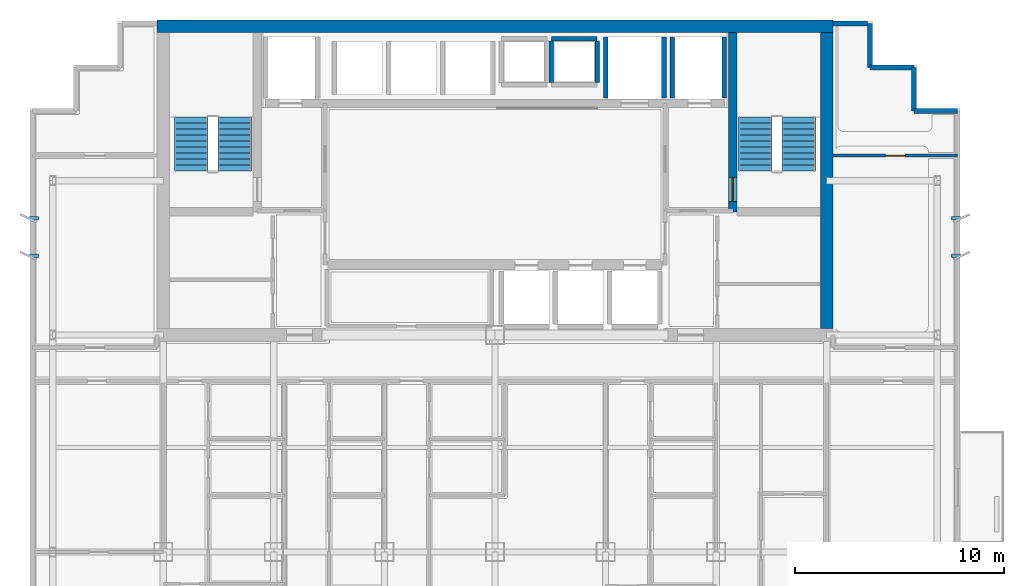
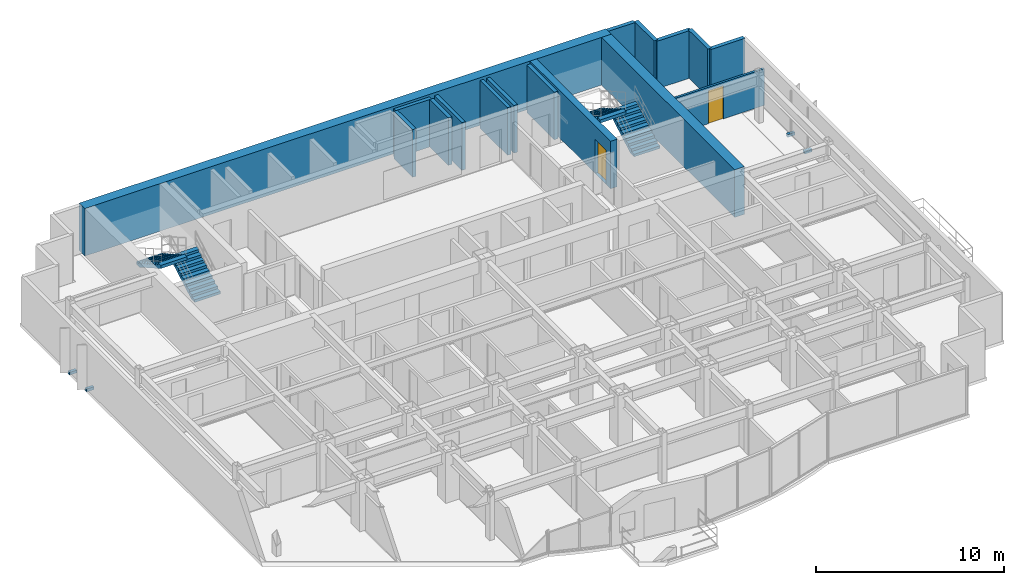
# One storey, part 9 of 11: 16 walls, 4 discrete accessories, 4 stair flights, 2 doors, 2 openings, 2 elements without a shape of their own.
"""IFC4 building model written with IfcOpenShell, lengths in metres."""

from ifc_helpers import new_model, si_unit, direction, frame, frame_2d, origin, origin_2d, place, context, subcontext, project, spatial, polyline, rectangle, outline, extrude, source, transform, mapped, material, layer, layer_set, type_object, element, fill, aggregate, save


model = new_model("IFC4")

# Units and contexts
model_context = context("Model", 3, precision=1e-05, world=origin(), true_north=direction((0.0, 1.0)))
body_context = subcontext(model_context, "Body", "Model", "MODEL_VIEW")
ifc_project = project(units=[si_unit("LENGTHUNIT", "METRE"), si_unit("AREAUNIT", "SQUARE_METRE"), si_unit("VOLUMEUNIT", "CUBIC_METRE"), si_unit("PLANEANGLEUNIT", "RADIAN"), si_unit("MASSUNIT", "GRAM", prefix="KILO")], contexts=[model_context])

# Site, building, storey
site_placement = place(None, origin())
site = spatial("IfcSite", under=ifc_project, at=site_placement, CompositionType="ELEMENT")
building_placement = place(site_placement, origin())
building = spatial("IfcBuilding", under=site, at=building_placement, Name="Qianlan Lanfeng Residences", CompositionType="ELEMENT")
storey_placement = place(building_placement, frame((0.0, 0.0, 145.800048828125)))
storey = spatial("IfcBuildingStorey", under=building, at=storey_placement, Name="L39", CompositionType="ELEMENT", Elevation=145.800048828125)

# Wall, opening, door
ifc_material_1 = material(Name="Concrete C56", Category="concrete")
ifc_layer_1 = layer(ifc_material_1, 0.39990234375)
ifc_layer_set_1 = layer_set([ifc_layer_1], Name="Concrete C56")
wall_type_1 = type_object("IfcWallType", Name="CW-RC-400", PredefinedType="SHEAR", material=ifc_layer_set_1)
wall_1_placement = place(storey_placement, frame((37.89990234375, 31.10009765625, 0.0), z_axis=(0.0, 0.0, 1.0), x_axis=(0.0, 1.0, 0.0)))
wall_1 = element("IfcWall", 1, at=wall_1_placement, inside=storey, type_object=wall_type_1, Name="L39 Core Shear Wall ST2W", PredefinedType="SHEAR", context=body_context, shape_type="SweptSolid", body=[
    extrude(rectangle(XDim=8.599853515625, YDim=0.39990234375, at=frame_2d((4.2998046875, 0.0))), origin(), (0.0, 0.0, 1.0), 3.099853515625),
])
opening_1_placement = place(wall_1_placement, frame((0.510009765625, 0.0, 0.0)))
opening_1 = element("IfcOpeningElement", 2, at=opening_1_placement, cuts=wall_1, Name="Opening L39-D08", PredefinedType="OPENING", context=body_context, shape_type="SweptSolid", body=[
    extrude(rectangle(XDim=1.14990234375, YDim=2.199951171875, at=frame_2d((0.574951171875, 1.10009765625))), frame((0.0, 0.2099609375, 0.0), z_axis=(0.0, -1.0, 0.0), x_axis=(1.0, 0.0, 0.0)), (0.0, 0.0, 1.0), 0.419921875),
])
ifc_material_2 = material(Name="Painted Galvanised Steel Fire Door", Category="steel")
door_type_1 = type_object("IfcDoorType", Name="DT-ST1", OperationType="NOTDEFINED", PredefinedType="DOOR", material=ifc_material_2)
door_1_placement = place(opening_1_placement, origin())
door_1 = element("IfcDoor", 3, at=door_1_placement, inside=storey, type_object=door_type_1, Name="L39 Exit Stair ST-2 Door L39-D08 (DT-ST1)", OperationType="SINGLE_SWING_RIGHT", OverallHeight=2.199951171875, OverallWidth=1.14990234375, PredefinedType="DOOR", context=body_context, shape_type="SweptSolid", body=[
    extrude(rectangle(XDim=1.14990234375, YDim=2.199951171875, at=frame_2d((0.574951171875, 1.10009765625))), frame((0.0, 0.02490234375, 0.0), z_axis=(0.0, -1.0, 0.0), x_axis=(1.0, 0.0, 0.0)), (0.0, 0.0, 1.0), 0.050048828125),
])
fill(opening_1, door_1)

# Walls
ifc_layer_2 = layer(ifc_material_1, 0.60009765625)
ifc_layer_set_2 = layer_set([ifc_layer_2], Name="Concrete C56")
wall_type_2 = type_object("IfcWallType", Name="CW-RC-600", PredefinedType="SHEAR", material=ifc_layer_set_2)
wall_2_placement = place(storey_placement, frame((10.300048828125, 40.0, 0.0), z_axis=(0.0, 0.0, 1.0), x_axis=(1.0, 0.0, 0.0)))
element("IfcWall", 4, at=wall_2_placement, inside=storey, type_object=wall_type_2, Name="L39 Core Shear Wall N", PredefinedType="SHEAR", context=body_context, shape_type="SweptSolid", body=[
    extrude(rectangle(XDim=32.39990234375, YDim=0.60009765625, at=frame_2d((16.199951171875, 0.0))), origin(), (0.0, 0.0, 1.0), 3.099853515625),
])
wall_3_placement = place(storey_placement, frame((42.39990234375, 25.5, 0.0), z_axis=(0.0, 0.0, 1.0), x_axis=(0.0, 1.0, 0.0)))
element("IfcWall", 5, at=wall_3_placement, inside=storey, type_object=wall_type_2, Name="L39 Core Shear Wall E", PredefinedType="SHEAR", context=body_context, shape_type="SweptSolid", body=[
    extrude(rectangle(XDim=14.199951171875, YDim=0.60009765625, at=frame_2d((7.10009765625, 0.0))), origin(), (0.0, 0.0, 1.0), 3.099853515625),
])
ifc_material_3 = material(Name="Concrete C42", Category="concrete")
ifc_layer_3 = layer(ifc_material_3, 0.239990234375)
ifc_layer_set_3 = layer_set([ifc_layer_3], Name="Concrete C42")
wall_type_3 = type_object("IfcWallType", Name="EW-240", PredefinedType="SOLIDWALL", material=ifc_layer_set_3)
wall_4_placement = place(storey_placement, frame((48.679931640625, 35.929931640625, 0.0), z_axis=(0.0, 0.0, 1.0), x_axis=(-1.0, 0.0, 0.0)))
element("IfcWall", 6, at=wall_4_placement, inside=storey, type_object=wall_type_3, Name="L39 Exterior Facade Spandrel Wall 11", PredefinedType="SOLIDWALL", context=body_context, shape_type="SweptSolid", body=[
    extrude(rectangle(XDim=2.099853515625, YDim=0.239990234375, at=frame_2d((1.0498046875, 0.0))), origin(), (0.0, 0.0, 1.0), 3.099853515625),
])
for number, where, z_axis, x_axis, name in (
    (7, (46.580078125, 35.929931640625, 0.0), (0.0, 0.0, 1.0), (0.0, 1.0, 0.0), "L39 Exterior Facade Spandrel Wall 12"),
    (8, (46.580078125, 38.030029296875, 0.0), (0.0, 0.0, 1.0), (-1.0, 0.0, 0.0), "L39 Exterior Facade Spandrel Wall 13"),
):
    element("IfcWall", number, at=place(storey_placement, frame(where, z_axis=z_axis, x_axis=x_axis)), inside=storey, type_object=wall_type_3, Name=name, PredefinedType="SOLIDWALL", context=body_context, shape_type="SweptSolid", body=[
        extrude(rectangle(XDim=2.10009765625, YDim=0.239990234375, at=frame_2d((1.050048828125, 0.0))), origin(), (0.0, 0.0, 1.0), 3.099853515625),
    ])
wall_5_placement = place(storey_placement, frame((44.47998046875, 38.030029296875, 0.0), z_axis=(0.0, 0.0, 1.0), x_axis=(0.0, 1.0, 0.0)))
element("IfcWall", 9, at=wall_5_placement, inside=storey, type_object=wall_type_3, Name="L39 Exterior Facade Spandrel Wall 14", PredefinedType="SOLIDWALL", context=body_context, shape_type="SweptSolid", body=[
    extrude(rectangle(XDim=2.099853515625, YDim=0.239990234375, at=frame_2d((1.0498046875, 0.0))), origin(), (0.0, 0.0, 1.0), 3.099853515625),
])
wall_6_placement = place(storey_placement, frame((44.35009765625, 40.1298828125, 0.0), z_axis=(0.0, 0.0, 1.0), x_axis=(-1.0, 0.0, 0.0)))
element("IfcWall", 10, at=wall_6_placement, inside=storey, type_object=wall_type_3, Name="L39 North Wing Exterior Wall E", PredefinedType="SOLIDWALL", context=body_context, shape_type="SweptSolid", body=[
    extrude(rectangle(XDim=1.650146484375, YDim=0.239990234375, at=frame_2d((0.8251953125, 0.0))), origin(), (0.0, 0.0, 1.0), 3.099853515625),
])

# Wall, opening, door
ifc_material_4 = material(Name="Moisture-Resistant Gypsum Partition 135 mm")
ifc_layer_4 = layer(ifc_material_4, 0.135009765625)
ifc_layer_set_4 = layer_set([ifc_layer_4], Name="Moisture-Resistant Gypsum Partition 135 mm")
wall_type_4 = type_object("IfcWallType", Name="PW-135", PredefinedType="PARTITIONING", material=ifc_layer_set_4)
wall_7_placement = place(storey_placement, frame((42.699951171875, 33.800048828125, 0.0), z_axis=(0.0, 0.0, 1.0), x_axis=(1.0, 0.0, 0.0)))
wall_7 = element("IfcWall", 11, at=wall_7_placement, inside=storey, type_object=wall_type_4, Name="L39 EW North Wing Wall", PredefinedType="PARTITIONING", context=body_context, shape_type="SweptSolid", body=[
    extrude(rectangle(XDim=5.97998046875, YDim=0.135009765625, at=frame_2d((2.989990234375, 0.0))), origin(), (0.0, 0.0, 1.0), 2.3798828125),
])
opening_2_placement = place(wall_7_placement, frame((2.530029296875, 0.0, 0.0)))
opening_2 = element("IfcOpeningElement", 12, at=opening_2_placement, cuts=wall_7, Name="Opening L39-D47", PredefinedType="OPENING", context=body_context, shape_type="SweptSolid", body=[
    extrude(rectangle(XDim=0.919921875, YDim=2.14990234375, at=frame_2d((0.4599609375, 1.074951171875))), frame((0.0, 0.07763671875, 0.0), z_axis=(0.0, -1.0, 0.0), x_axis=(1.0, 0.0, 0.0)), (0.0, 0.0, 1.0), 0.155029296875),
])
ifc_material_5 = material(Name="Glazed Timber Kitchen/Study Door", Category="wood")
door_type_2 = type_object("IfcDoorType", Name="DT-INT", OperationType="NOTDEFINED", PredefinedType="DOOR", material=ifc_material_5)
door_2_placement = place(opening_2_placement, origin())
door_2 = element("IfcDoor", 13, at=door_2_placement, inside=storey, type_object=door_type_2, Name="L39 EW Inner Salon Door L39-D47 (DT-INT)", OperationType="SINGLE_SWING_LEFT", OverallHeight=2.14990234375, OverallWidth=0.919921875, PredefinedType="DOOR", context=body_context, shape_type="SweptSolid", body=[
    extrude(rectangle(XDim=0.919921875, YDim=2.14990234375, at=frame_2d((0.4599609375, 1.074951171875))), frame((0.0, 0.02490234375, 0.0), z_axis=(0.0, -1.0, 0.0), x_axis=(1.0, 0.0, 0.0)), (0.0, 0.0, 1.0), 0.050048828125),
])
fill(opening_2, door_2)

# Walls
ifc_material_6 = material(Name="Concrete C49", Category="concrete")
ifc_layer_5 = layer(ifc_material_6, 0.219970703125)
ifc_layer_set_5 = layer_set([ifc_layer_5], Name="Concrete C49")
wall_type_5 = type_object("IfcWallType", Name="SHW-220", PredefinedType="SOLIDWALL", material=ifc_layer_set_5)
for number, where, z_axis, x_axis, name in (
    (14, (35.0, 36.550048828125, 0.0), (0.0, 0.0, 1.0), (0.0, 1.0, 0.0), "L39 Lift FFL-2 Shaft Wall W"),
    (15, (37.47998046875, 36.550048828125, 0.0), (0.0, 0.0, 1.0), (0.0, 1.0, 0.0), "L39 Lift FFL-2 Shaft Wall E"),
    (16, (31.800048828125, 36.550048828125, 0.0), (0.0, 0.0, 1.0), (0.0, 1.0, 0.0), "L39 Lift SVL-1 Shaft Wall W"),
    (17, (34.60009765625, 36.550048828125, 0.0), (0.0, 0.0, 1.0), (0.0, 1.0, 0.0), "L39 Lift SVL-1 Shaft Wall E"),
):
    element("IfcWall", number, at=place(storey_placement, frame(where, z_axis=z_axis, x_axis=x_axis)), inside=storey, type_object=wall_type_5, Name=name, PredefinedType="SOLIDWALL", context=body_context, shape_type="SweptSolid", body=[
        extrude(rectangle(XDim=2.929931640625, YDim=0.219970703125, at=frame_2d((1.46484375, 0.0))), origin(), (0.0, 0.0, 1.0), 3.099853515625),
    ])
for number, where, z_axis, x_axis, name in (
    (18, (29.199951171875, 37.31005859375, 0.0), (0.0, 0.0, 1.0), (0.0, 1.0, 0.0), "L39 MEP Riser MEP-R2 Shaft Wall W"),
    (19, (31.39990234375, 37.31005859375, 0.0), (0.0, 0.0, 1.0), (0.0, 1.0, 0.0), "L39 MEP Riser MEP-R2 Shaft Wall E"),
):
    element("IfcWall", number, at=place(storey_placement, frame(where, z_axis=z_axis, x_axis=x_axis)), inside=storey, type_object=wall_type_5, Name=name, PredefinedType="SOLIDWALL", context=body_context, shape_type="SweptSolid", body=[
        extrude(rectangle(XDim=1.97998046875, YDim=0.219970703125, at=frame_2d((0.989990234375, 0.0))), origin(), (0.0, 0.0, 1.0), 3.099853515625),
    ])
wall_8_placement = place(storey_placement, frame((29.199951171875, 39.39990234375, 0.0), z_axis=(0.0, 0.0, 1.0), x_axis=(1.0, 0.0, 0.0)))
element("IfcWall", 20, at=wall_8_placement, inside=storey, type_object=wall_type_5, Name="L39 MEP Riser MEP-R2 Shaft Wall N", PredefinedType="SOLIDWALL", context=body_context, shape_type="SweptSolid", body=[
    extrude(rectangle(XDim=2.199951171875, YDim=0.219970703125, at=frame_2d((1.10009765625, 0.0))), origin(), (0.0, 0.0, 1.0), 3.099853515625),
])

# Stair, stair flights
stair_type = type_object("IfcStairType", Name="STR-MAIN", PredefinedType="HALF_TURN_STAIR", material=ifc_material_3)
stair_1_placement = place(storey_placement, origin())
stair_1 = element("IfcStair", 21, at=stair_1_placement, inside=storey, type_object=stair_type, Name="L39 Exit Stair ST-1", PredefinedType="HALF_TURN_STAIR")
stair_flight_type = type_object("IfcStairFlightType", Name="FLT-1720", PredefinedType="STRAIGHT", material=ifc_material_3)
stair_flight_1_placement = place(storey_placement, frame((14.02001953125, 33.050048828125, 0.0), z_axis=(0.0, 0.0, 1.0), x_axis=(0.0, 1.0, 0.0)))
stair_flight_1 = element("IfcStairFlight", 22, at=stair_flight_1_placement, type_object=stair_flight_type, Name="ST-1 flight 1", NumberOfRisers=10, NumberOfTreads=9, PredefinedType="STRAIGHT", RiserHeight=0.165, TreadLength=0.29, context=body_context, shape_type="SweptSolid", body=[
    extrude(outline(polyline([(0.0, 0.0), (0.0, 0.1650390625), (0.2900390625, 0.1650390625), (0.2900390625, 0.330078125), (0.580078125, 0.330078125), (0.580078125, 0.4951171875), (0.8701171875, 0.4951171875), (0.8701171875, 0.659912109375), (1.159912109375, 0.659912109375), (1.159912109375, 0.824951171875), (1.449951171875, 0.824951171875), (1.449951171875, 0.989990234375), (1.739990234375, 0.989990234375), (1.739990234375, 1.155029296875), (2.030029296875, 1.155029296875), (2.030029296875, 1.320068359375), (2.320068359375, 1.320068359375), (2.320068359375, 1.485107421875), (2.610107421875, 1.485107421875), (2.610107421875, 1.64990234375), (2.610107421875, 1.278076171875), (0.36376953125, 0.0), (0.0, 0.0)])), frame((0.0, 0.800048828125, 0.0), z_axis=(0.0, -1.0, 0.0), x_axis=(1.0, 0.0, 0.0)), (0.0, 0.0, 1.0), 1.60009765625),
])
stair_flight_2_placement = place(storey_placement, frame((11.93994140625, 35.659912109375, 1.64990234375), z_axis=(0.0, 0.0, 1.0), x_axis=(0.0, -1.0, 0.0)))
stair_flight_2 = element("IfcStairFlight", 23, at=stair_flight_2_placement, type_object=stair_flight_type, Name="ST-1 flight 2", NumberOfRisers=10, NumberOfTreads=9, PredefinedType="STRAIGHT", RiserHeight=0.165, TreadLength=0.29, context=body_context, shape_type="SweptSolid", body=[
    extrude(outline(polyline([(0.0, 0.0), (0.0, 0.1650390625), (0.2900390625, 0.1650390625), (0.2900390625, 0.330078125), (0.580078125, 0.330078125), (0.580078125, 0.4951171875), (0.8701171875, 0.4951171875), (0.8701171875, 0.659912109375), (1.159912109375, 0.659912109375), (1.159912109375, 0.824951171875), (1.449951171875, 0.824951171875), (1.449951171875, 0.989990234375), (1.739990234375, 0.989990234375), (1.739990234375, 1.155029296875), (2.030029296875, 1.155029296875), (2.030029296875, 1.320068359375), (2.320068359375, 1.320068359375), (2.320068359375, 1.485107421875), (2.610107421875, 1.485107421875), (2.610107421875, 1.64990234375), (2.610107421875, 1.278076171875), (0.36376953125, 0.0), (0.0, 0.0)])), frame((0.0, 0.800048828125, 0.0), z_axis=(0.0, -1.0, 0.0), x_axis=(1.0, 0.0, 0.0)), (0.0, 0.0, 1.0), 1.60009765625),
])
aggregate(stair_1, [stair_flight_1, stair_flight_2])

stair_2_placement = place(storey_placement, origin())
stair_2 = element("IfcStair", 24, at=stair_2_placement, inside=storey, type_object=stair_type, Name="L39 Exit Stair ST-2", PredefinedType="HALF_TURN_STAIR")
stair_flight_3_placement = place(storey_placement, frame((41.06005859375, 33.050048828125, 0.0), z_axis=(0.0, 0.0, 1.0), x_axis=(0.0, 1.0, 0.0)))
stair_flight_3 = element("IfcStairFlight", 25, at=stair_flight_3_placement, type_object=stair_flight_type, Name="ST-2 flight 1", NumberOfRisers=10, NumberOfTreads=9, PredefinedType="STRAIGHT", RiserHeight=0.165, TreadLength=0.29, context=body_context, shape_type="SweptSolid", body=[
    extrude(outline(polyline([(0.0, 0.0), (0.0, 0.1650390625), (0.2900390625, 0.1650390625), (0.2900390625, 0.330078125), (0.580078125, 0.330078125), (0.580078125, 0.4951171875), (0.8701171875, 0.4951171875), (0.8701171875, 0.659912109375), (1.159912109375, 0.659912109375), (1.159912109375, 0.824951171875), (1.449951171875, 0.824951171875), (1.449951171875, 0.989990234375), (1.739990234375, 0.989990234375), (1.739990234375, 1.155029296875), (2.030029296875, 1.155029296875), (2.030029296875, 1.320068359375), (2.320068359375, 1.320068359375), (2.320068359375, 1.485107421875), (2.610107421875, 1.485107421875), (2.610107421875, 1.64990234375), (2.610107421875, 1.278076171875), (0.36376953125, 0.0), (0.0, 0.0)])), frame((0.0, 0.800048828125, 0.0), z_axis=(0.0, -1.0, 0.0), x_axis=(1.0, 0.0, 0.0)), (0.0, 0.0, 1.0), 1.60009765625),
])
stair_flight_4_placement = place(storey_placement, frame((38.97998046875, 35.659912109375, 1.64990234375), z_axis=(0.0, 0.0, 1.0), x_axis=(0.0, -1.0, 0.0)))
stair_flight_4 = element("IfcStairFlight", 26, at=stair_flight_4_placement, type_object=stair_flight_type, Name="ST-2 flight 2", NumberOfRisers=10, NumberOfTreads=9, PredefinedType="STRAIGHT", RiserHeight=0.165, TreadLength=0.29, context=body_context, shape_type="SweptSolid", body=[
    extrude(outline(polyline([(0.0, 0.0), (0.0, 0.1650390625), (0.2900390625, 0.1650390625), (0.2900390625, 0.330078125), (0.580078125, 0.330078125), (0.580078125, 0.4951171875), (0.8701171875, 0.4951171875), (0.8701171875, 0.659912109375), (1.159912109375, 0.659912109375), (1.159912109375, 0.824951171875), (1.449951171875, 0.824951171875), (1.449951171875, 0.989990234375), (1.739990234375, 0.989990234375), (1.739990234375, 1.155029296875), (2.030029296875, 1.155029296875), (2.030029296875, 1.320068359375), (2.320068359375, 1.320068359375), (2.320068359375, 1.485107421875), (2.610107421875, 1.485107421875), (2.610107421875, 1.64990234375), (2.610107421875, 1.278076171875), (0.36376953125, 0.0), (0.0, 0.0)])), frame((0.0, 0.800048828125, 0.0), z_axis=(0.0, -1.0, 0.0), x_axis=(1.0, 0.0, 0.0)), (0.0, 0.0, 1.0), 1.60009765625),
])
aggregate(stair_2, [stair_flight_3, stair_flight_4])

# Discrete accessories
ifc_material_7 = material(Name="Stainless Steel Facade Bracket", Category="steel")
discrete_accessory_type = type_object("IfcDiscreteAccessoryType", Name="BRK-SS-350", PredefinedType="BRACKET", material=ifc_material_7)
shared_shape = source(origin(), body_context, "Body", "SweptSolid", [
    extrude(rectangle(XDim=0.449951171875, YDim=0.179931640625, at=origin_2d()), origin(), (0.0, 0.0, 1.0), 0.179931640625),
])
for number, where, z_axis, x_axis, name in (
    (27, (4.39990234375, 29.0, -0.14990234375), (0.0, 0.0, 1.0), (1.0, 0.0, 0.0), "L39 Raked Solar Fin Support Bracket W1"),
    (28, (4.39990234375, 30.800048828125, -0.14990234375), (0.0, 0.0, 1.0), (1.0, 0.0, 0.0), "L39 Raked Solar Fin Support Bracket W2"),
    (29, (48.60009765625, 29.0, -0.14990234375), (0.0, 0.0, 1.0), (1.0, 0.0, 0.0), "L39 Raked Solar Fin Support Bracket E1"),
    (30, (48.60009765625, 30.800048828125, -0.14990234375), (0.0, 0.0, 1.0), (1.0, 0.0, 0.0), "L39 Raked Solar Fin Support Bracket E2"),
):
    element("IfcDiscreteAccessory", number, at=place(storey_placement, frame(where, z_axis=z_axis, x_axis=x_axis)), inside=storey, type_object=discrete_accessory_type, Name=name, PredefinedType="BRACKET", context=body_context, shape_type="MappedRepresentation", body=[
        mapped(shared_shape, transform((0.0, 0.0, 0.0), scale=1.0)),
    ])

save(model, "model.ifc")
